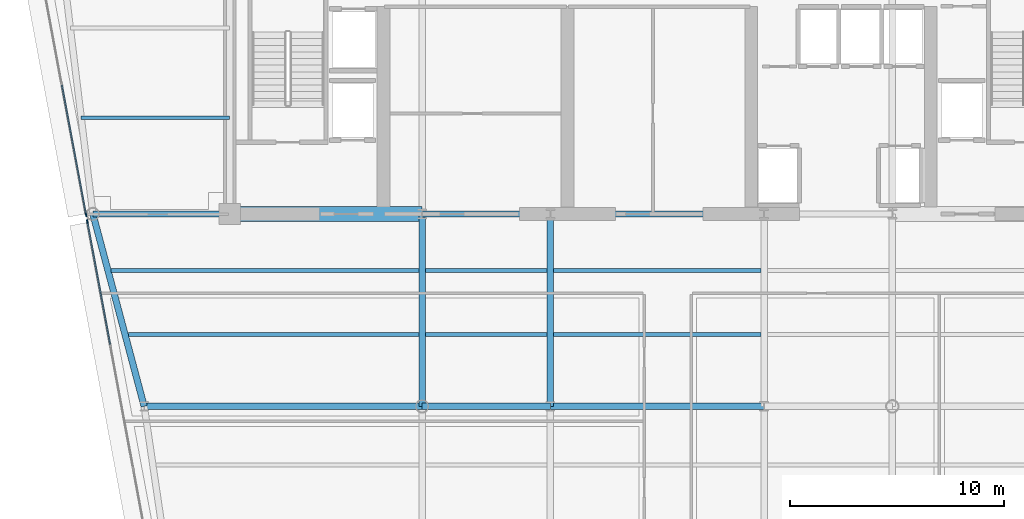
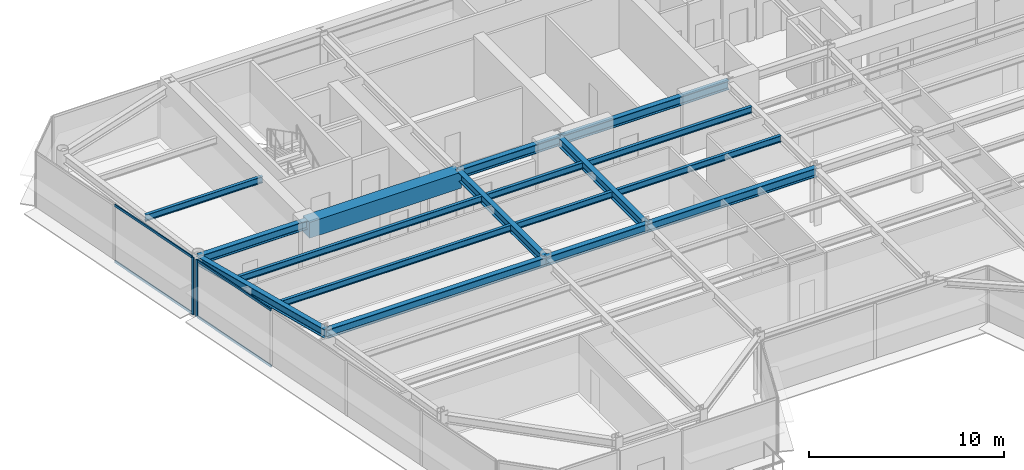
# One storey, part 3 of 14: 17 beams, 6 members, 2 elements without a shape of their own.
"""IFC4 building model written with IfcOpenShell, lengths in metres."""

from ifc_helpers import new_model, si_unit, direction, frame, origin, origin_2d, place, context, subcontext, project, spatial, rectangle, i_section, extrude, source, transform, mapped, material, layer, layer_set, material_profile, profile_set, type_object, element, aggregate, save


model = new_model("IFC4")

# Units and contexts
model_context = context("Model", 3, precision=1e-05, world=origin(), true_north=direction((0.0, 1.0)))
body_context = subcontext(model_context, "Body", "Model", "MODEL_VIEW")
ifc_project = project(units=[si_unit("LENGTHUNIT", "METRE"), si_unit("AREAUNIT", "SQUARE_METRE"), si_unit("VOLUMEUNIT", "CUBIC_METRE"), si_unit("PLANEANGLEUNIT", "RADIAN"), si_unit("MASSUNIT", "GRAM", prefix="KILO")], contexts=[model_context])

# Site, building, storey
site_placement = place(None, origin())
site = spatial("IfcSite", under=ifc_project, at=site_placement, CompositionType="ELEMENT")
building_placement = place(site_placement, origin())
building = spatial("IfcBuilding", under=site, at=building_placement, Name="Vaeldorn Concourse Tower", CompositionType="ELEMENT")
storey_placement = place(building_placement, frame((0.0, 0.0, 238.39990234375)))
storey = spatial("IfcBuildingStorey", under=building, at=storey_placement, Name="L61", CompositionType="ELEMENT", Elevation=238.39990234375)

# Beams
ifc_material_1 = material(Name="Concrete C50/60", Category="concrete")
ifc_material_profile_1 = material_profile(ifc_material_1, rectangle(XDim=0.699951171875, YDim=1.0, at=origin_2d()), Name="RC 700x1000")
ifc_profile_set_1 = profile_set([ifc_material_profile_1], Name="Concrete C50/60")
beam_type_1 = type_object("IfcBeamType", Name="BM-CB-RC700", PredefinedType="BEAM", material=ifc_profile_set_1)
shared_shape_1 = source(origin(), body_context, "Body", "SweptSolid", [
    extrude(rectangle(XDim=0.699951171875, YDim=1.0, at=origin_2d()), origin(), (0.0, 0.0, 1.0), 9.0),
])
beam_1_placement = place(storey_placement, frame((14.0, 36.5, 3.080078125), z_axis=(1.0, 0.0, 0.0), x_axis=(0.0, 1.0, 0.0)))
element("IfcBeam", 1, at=beam_1_placement, inside=storey, type_object=beam_type_1, Name="Core Coupling Beam L61-1", PredefinedType="BEAM", context=body_context, shape_type="MappedRepresentation", body=[
    mapped(shared_shape_1, transform((0.0, 0.0, 0.0), scale=1.0)),
])
ifc_material_2 = material(Name="Steel S355", Category="steel")
ifc_material_profile_2 = material_profile(ifc_material_2, i_section(OverallWidth=0.179931640625, OverallDepth=0.39990234375, WebThickness=0.008544921875, FlangeThickness=0.013427734375, FilletRadius=0.02099609375, at=origin_2d()), Name="IPE 400")
ifc_profile_set_2 = profile_set([ifc_material_profile_2], Name="Steel S355")
beam_type_2 = type_object("IfcBeamType", Name="BM-JS-IPE400", PredefinedType="JOIST", material=ifc_profile_set_2)
shared_shape_2 = source(origin(), body_context, "Body", "SweptSolid", [
    extrude(i_section(OverallWidth=0.179931640625, OverallDepth=0.39990234375, WebThickness=0.008544921875, FlangeThickness=0.013427734375, FilletRadius=0.02099609375, at=origin_2d()), origin(), (0.0, 0.0, 1.0), 5.7001953125),
])
for number, where, z_axis, x_axis, name in (
    (2, (23.14990234375, 30.860107421875, 3.380126953125), (1.0, 0.0, 0.0), (0.0, 1.0, 0.0), "Beam JS-L61-W2-308"),
    (3, (23.14990234375, 33.860107421875, 3.380126953125), (1.0, 0.0, 0.0), (0.0, 1.0, 0.0), "Beam JS-L61-W2-338"),
):
    element("IfcBeam", number, at=place(storey_placement, frame(where, z_axis=z_axis, x_axis=x_axis)), inside=storey, type_object=beam_type_2, Name=name, PredefinedType="JOIST", context=body_context, shape_type="MappedRepresentation", body=[
        mapped(shared_shape_2, transform((0.0, 0.0, 0.0), scale=1.0)),
    ])
shared_shape_3 = source(origin(), body_context, "Body", "SweptSolid", [
    extrude(i_section(OverallWidth=0.179931640625, OverallDepth=0.39990234375, WebThickness=0.008544921875, FlangeThickness=0.013427734375, FilletRadius=0.02099609375, at=origin_2d()), origin(), (0.0, 0.0, 1.0), 9.7001953125),
])
for number, where, z_axis, x_axis, name in (
    (4, (29.14990234375, 30.860107421875, 3.380126953125), (1.0, 0.0, 0.0), (0.0, 1.0, 0.0), "Beam JS-L61-C-308"),
    (5, (29.14990234375, 33.860107421875, 3.380126953125), (1.0, 0.0, 0.0), (0.0, 1.0, 0.0), "Beam JS-L61-C-338"),
):
    element("IfcBeam", number, at=place(storey_placement, frame(where, z_axis=z_axis, x_axis=x_axis)), inside=storey, type_object=beam_type_2, Name=name, PredefinedType="JOIST", context=body_context, shape_type="MappedRepresentation", body=[
        mapped(shared_shape_3, transform((0.0, 0.0, 0.0), scale=1.0)),
    ])
shared_shape_4 = source(origin(), body_context, "Body", "SweptSolid", [
    extrude(i_section(OverallWidth=0.179931640625, OverallDepth=0.39990234375, WebThickness=0.008544921875, FlangeThickness=0.013427734375, FilletRadius=0.02099609375, at=origin_2d()), origin(), (0.0, 0.0, 1.0), 6.94775390625),
])
beam_2_placement = place(storey_placement, frame((7.05224609375, 41.0, 3.380126953125), z_axis=(1.0, 0.0, 0.0), x_axis=(0.0, 1.0, 0.0)))
element("IfcBeam", 6, at=beam_2_placement, inside=storey, type_object=beam_type_2, Name="Beam JS-L61-NW-410", PredefinedType="JOIST", context=body_context, shape_type="MappedRepresentation", body=[
    mapped(shared_shape_4, transform((0.0, 0.0, 0.0), scale=1.0)),
])
shared_shape_5 = source(origin(), body_context, "Body", "SweptSolid", [
    extrude(i_section(OverallWidth=0.179931640625, OverallDepth=0.39990234375, WebThickness=0.008544921875, FlangeThickness=0.013427734375, FilletRadius=0.02099609375, at=origin_2d()), origin(), (0.0, 0.0, 1.0), 13.59619140625),
])
beam_3_placement = place(storey_placement, frame((9.25390625, 30.860107421875, 3.380126953125), z_axis=(1.0, 0.0, 0.0), x_axis=(0.0, 1.0, 0.0)))
element("IfcBeam", 7, at=beam_3_placement, inside=storey, type_object=beam_type_2, Name="Beam JS-L61-W1-308", PredefinedType="JOIST", context=body_context, shape_type="MappedRepresentation", body=[
    mapped(shared_shape_5, transform((0.0, 0.0, 0.0), scale=1.0)),
])
shared_shape_6 = source(origin(), body_context, "Body", "SweptSolid", [
    extrude(i_section(OverallWidth=0.179931640625, OverallDepth=0.39990234375, WebThickness=0.008544921875, FlangeThickness=0.013427734375, FilletRadius=0.02099609375, at=origin_2d()), origin(), (0.0, 0.0, 1.0), 14.39599609375),
])
beam_4_placement = place(storey_placement, frame((8.4541015625, 33.860107421875, 3.380126953125), z_axis=(1.0, 0.0, 0.0), x_axis=(0.0, 1.0, 0.0)))
element("IfcBeam", 8, at=beam_4_placement, inside=storey, type_object=beam_type_2, Name="Beam JS-L61-W1-338", PredefinedType="JOIST", context=body_context, shape_type="MappedRepresentation", body=[
    mapped(shared_shape_6, transform((0.0, 0.0, 0.0), scale=1.0)),
])
ifc_material_profile_3 = material_profile(ifc_material_2, i_section(OverallWidth=0.300048828125, OverallDepth=0.550048828125, WebThickness=0.014892578125, FlangeThickness=0.029052734375, FilletRadius=0.027099609375, at=origin_2d()), Name="HEB 550")
ifc_profile_set_3 = profile_set([ifc_material_profile_3], Name="Steel S355")
beam_type_3 = type_object("IfcBeamType", Name="BM-PG-HEB550", PredefinedType="BEAM", material=ifc_profile_set_3)
shared_shape_7 = source(origin(), body_context, "Body", "SweptSolid", [
    extrude(i_section(OverallWidth=0.300048828125, OverallDepth=0.550048828125, WebThickness=0.014892578125, FlangeThickness=0.029052734375, FilletRadius=0.027099609375, at=origin_2d()), origin(), (0.0, 0.0, 1.0), 6.0),
])
for number, where, z_axis, x_axis, name in (
    (9, (23.0, 36.5, 3.30517578125), (1.0, 0.0, 0.0), (0.0, 1.0, 0.0), "Beam BM-L61-C-FC2-C-FC3"),
    (10, (23.0, 27.5, 3.30517578125), (1.0, 0.0, 0.0), (0.0, 1.0, 0.0), "Beam BM-L61-C-TW1-C-TW2"),
):
    element("IfcBeam", number, at=place(storey_placement, frame(where, z_axis=z_axis, x_axis=x_axis)), inside=storey, type_object=beam_type_3, Name=name, PredefinedType="BEAM", context=body_context, shape_type="MappedRepresentation", body=[
        mapped(shared_shape_7, transform((0.0, 0.0, 0.0), scale=1.0)),
    ])
shared_shape_8 = source(origin(), body_context, "Body", "SweptSolid", [
    extrude(i_section(OverallWidth=0.300048828125, OverallDepth=0.550048828125, WebThickness=0.014892578125, FlangeThickness=0.029052734375, FilletRadius=0.027099609375, at=origin_2d()), origin(), (0.0, 0.0, 1.0), 10.0),
])
for number, where, z_axis, x_axis, name in (
    (11, (29.0, 36.5, 3.30517578125), (1.0, 0.0, 0.0), (0.0, 1.0, 0.0), "Beam BM-L61-C-FC3-C-FC4"),
    (12, (29.0, 27.5, 3.30517578125), (1.0, 0.0, 0.0), (0.0, 1.0, 0.0), "Beam BM-L61-C-TW2-C-TW3"),
):
    element("IfcBeam", number, at=place(storey_placement, frame(where, z_axis=z_axis, x_axis=x_axis)), inside=storey, type_object=beam_type_3, Name=name, PredefinedType="BEAM", context=body_context, shape_type="MappedRepresentation", body=[
        mapped(shared_shape_8, transform((0.0, 0.0, 0.0), scale=1.0)),
    ])
shared_shape_9 = source(origin(), body_context, "Body", "SweptSolid", [
    extrude(i_section(OverallWidth=0.300048828125, OverallDepth=0.550048828125, WebThickness=0.014892578125, FlangeThickness=0.029052734375, FilletRadius=0.027099609375, at=origin_2d()), origin(), (0.0, 0.0, 1.0), 9.0),
])
for number, where, z_axis, x_axis, name in (
    (13, (23.0, 27.5, 3.30517578125), (0.0, 1.0, 0.0), (-1.0, 0.0, 0.0), "Beam BM-L61-C-TW1-C-FC2"),
    (14, (29.0, 27.5, 3.30517578125), (0.0, 1.0, 0.0), (-1.0, 0.0, 0.0), "Beam BM-L61-C-TW2-C-FC3"),
):
    element("IfcBeam", number, at=place(storey_placement, frame(where, z_axis=z_axis, x_axis=x_axis)), inside=storey, type_object=beam_type_3, Name=name, PredefinedType="BEAM", context=body_context, shape_type="MappedRepresentation", body=[
        mapped(shared_shape_9, transform((0.0, 0.0, 0.0), scale=1.0)),
    ])
shared_shape_10 = source(origin(), body_context, "Body", "SweptSolid", [
    extrude(i_section(OverallWidth=0.300048828125, OverallDepth=0.550048828125, WebThickness=0.014892578125, FlangeThickness=0.029052734375, FilletRadius=0.027099609375, at=origin_2d()), origin(), (0.0, 0.0, 1.0), 6.39990234375),
])
beam_5_placement = place(storey_placement, frame((7.60009765625, 36.5, 3.30517578125), z_axis=(1.0, 0.0, 0.0), x_axis=(0.0, 1.0, 0.0)))
element("IfcBeam", 15, at=beam_5_placement, inside=storey, type_object=beam_type_3, Name="Beam BM-L61-C-NW2-C-FC1", PredefinedType="BEAM", context=body_context, shape_type="MappedRepresentation", body=[
    mapped(shared_shape_10, transform((0.0, 0.0, 0.0), scale=1.0)),
])
shared_shape_11 = source(origin(), body_context, "Body", "SweptSolid", [
    extrude(i_section(OverallWidth=0.300048828125, OverallDepth=0.550048828125, WebThickness=0.014892578125, FlangeThickness=0.029052734375, FilletRadius=0.027099609375, at=origin_2d()), origin(), (0.0, 0.0, 1.0), 9.314453125),
])
beam_6_placement = place(storey_placement, frame((7.60009765625, 36.5, 3.30517578125), z_axis=(0.257652862255, -0.966237549763, 0.0), x_axis=(0.966237549763, 0.257652862255, 0.0)))
element("IfcBeam", 16, at=beam_6_placement, inside=storey, type_object=beam_type_3, Name="Beam BM-L61-C-NW2-C-FLW1", PredefinedType="BEAM", context=body_context, shape_type="MappedRepresentation", body=[
    mapped(shared_shape_11, transform((0.0, 0.0, 0.0), scale=1.0)),
])
shared_shape_12 = source(origin(), body_context, "Body", "SweptSolid", [
    extrude(i_section(OverallWidth=0.300048828125, OverallDepth=0.550048828125, WebThickness=0.014892578125, FlangeThickness=0.029052734375, FilletRadius=0.027099609375, at=origin_2d()), origin(), (0.0, 0.0, 1.0), 13.0),
])
beam_7_placement = place(storey_placement, frame((10.0, 27.5, 3.30517578125), z_axis=(1.0, 0.0, 0.0), x_axis=(0.0, 1.0, 0.0)))
element("IfcBeam", 17, at=beam_7_placement, inside=storey, type_object=beam_type_3, Name="Beam BM-L61-C-FLW1-C-TW1", PredefinedType="BEAM", context=body_context, shape_type="MappedRepresentation", body=[
    mapped(shared_shape_12, transform((0.0, 0.0, 0.0), scale=1.0)),
])

# Curtain wall, member
ifc_material_3 = material(Name="Anodised Bronze Aluminium", Category="aluminium")
ifc_layer = layer(ifc_material_3, 0.2099609375)
ifc_layer_set = layer_set([ifc_layer], Name="Anodised Bronze Aluminium")
curtain_wall_type = type_object("IfcCurtainWallType", Name="CW-SYS-06", PredefinedType="NOTDEFINED", material=ifc_layer_set)
curtain_wall_1_placement = place(storey_placement, origin())
curtain_wall_1 = element("IfcCurtainWall", 18, at=curtain_wall_1_placement, inside=storey, type_object=curtain_wall_type, Name="Unitised Curtain Wall CW-L61-E11-1", PredefinedType="NOTDEFINED")
ifc_material_profile_4 = material_profile(ifc_material_3, rectangle(XDim=0.06494140625, YDim=0.169921875, at=origin_2d()), Name="CWM 65x170")
ifc_profile_set_4 = profile_set([ifc_material_profile_4], Name="Anodised Bronze Aluminium")
member_type_1 = type_object("IfcMemberType", Name="CWM-BRONZE-170", PredefinedType="MULLION", material=ifc_profile_set_4)
shared_shape_13 = source(origin(), body_context, "Body", "SweptSolid", [
    extrude(rectangle(XDim=0.06494140625, YDim=0.169921875, at=origin_2d()), origin(), (0.0, 0.0, 1.0), 3.580078125),
])
member_1_placement = place(storey_placement, frame((7.279052734375, 36.460205078125, 0.0), z_axis=(0.0, 0.0, 1.0), x_axis=(0.983102768025, 0.183054493257, 0.0)))
member_1 = element("IfcMember", 19, at=member_1_placement, type_object=member_type_1, Name="CW-06 mullion 3", PredefinedType="MULLION", context=body_context, shape_type="MappedRepresentation", body=[
    mapped(shared_shape_13, transform((0.0, 0.0, 0.0), scale=1.0)),
])

# Curtain wall, members
curtain_wall_2_placement = place(storey_placement, origin())
curtain_wall_2 = element("IfcCurtainWall", 20, at=curtain_wall_2_placement, inside=storey, type_object=curtain_wall_type, Name="Unitised Curtain Wall CW-L61-E11-2", PredefinedType="NOTDEFINED")
member_2_placement = place(storey_placement, frame((7.336181640625, 36.153076171875, 0.0), z_axis=(0.0, 0.0, 1.0), x_axis=(0.983102653673, 0.18305510739, 0.0)))
member_2 = element("IfcMember", 21, at=member_2_placement, type_object=member_type_1, Name="CW-06 mullion 1", PredefinedType="MULLION", context=body_context, shape_type="MappedRepresentation", body=[
    mapped(shared_shape_13, transform((0.0, 0.0, 0.0), scale=1.0)),
])
ifc_material_profile_5 = material_profile(ifc_material_3, rectangle(XDim=0.06494140625, YDim=0.14990234375, at=origin_2d()), Name="CWT 65x150")
ifc_profile_set_5 = profile_set([ifc_material_profile_5], Name="Anodised Bronze Aluminium")
member_type_2 = type_object("IfcMemberType", Name="CWT-BRONZE-150", PredefinedType="USERDEFINED", material=ifc_profile_set_5)
shared_shape_14 = source(origin(), body_context, "Body", "SweptSolid", [
    extrude(rectangle(XDim=0.06494140625, YDim=0.14990234375, at=origin_2d()), origin(), (0.0, 0.0, 1.0), 5.82373046875),
])
member_3_placement = place(storey_placement, frame((7.34228515625, 36.12109375, 0.03271484375), z_axis=(0.183030414843, -0.983107251139, 0.0), x_axis=(0.983107251139, 0.183030414843, 0.0)))
member_3 = element("IfcMember", 22, at=member_3_placement, type_object=member_type_2, Name="CW-06 transom 1.1", ObjectType="TRANSOM", PredefinedType="USERDEFINED", context=body_context, shape_type="MappedRepresentation", body=[
    mapped(shared_shape_14, transform((0.0, 0.0, 0.0), scale=1.0)),
])
member_4_placement = place(storey_placement, frame((7.34228515625, 36.12109375, 3.547607421875), z_axis=(0.183030414843, -0.983107251139, 0.0), x_axis=(0.983107251139, 0.183030414843, 0.0)))
member_4 = element("IfcMember", 23, at=member_4_placement, type_object=member_type_2, Name="CW-06 transom 1.2", ObjectType="TRANSOM", PredefinedType="USERDEFINED", context=body_context, shape_type="MappedRepresentation", body=[
    mapped(shared_shape_14, transform((0.0, 0.0, 0.0), scale=1.0)),
])
aggregate(curtain_wall_2, [member_2, member_3, member_4])

# Member
shared_shape_15 = source(origin(), body_context, "Body", "SweptSolid", [
    extrude(rectangle(XDim=0.06494140625, YDim=0.14990234375, at=origin_2d()), origin(), (0.0, 0.0, 1.0), 6.143798828125),
])
member_5_placement = place(storey_placement, frame((6.1484375, 42.5322265625, 0.03271484375), z_axis=(0.183069583935, -0.983099958009, 0.0), x_axis=(0.983099958009, 0.183069583935, 0.0)))
member_5 = element("IfcMember", 24, at=member_5_placement, type_object=member_type_2, Name="CW-06 transom 2.1", ObjectType="TRANSOM", PredefinedType="USERDEFINED", context=body_context, shape_type="MappedRepresentation", body=[
    mapped(shared_shape_15, transform((0.0, 0.0, 0.0), scale=1.0)),
])

member_6_placement = place(storey_placement, frame((6.1484375, 42.5322265625, 3.547607421875), z_axis=(0.183069583935, -0.983099958009, 0.0), x_axis=(0.983099958009, 0.183069583935, 0.0)))
member_6 = element("IfcMember", 25, at=member_6_placement, type_object=member_type_2, Name="CW-06 transom 2.2", ObjectType="TRANSOM", PredefinedType="USERDEFINED", context=body_context, shape_type="MappedRepresentation", body=[
    mapped(shared_shape_15, transform((0.0, 0.0, 0.0), scale=1.0)),
])

aggregate(curtain_wall_1, [member_1, member_5, member_6])

save(model, "model.ifc")
